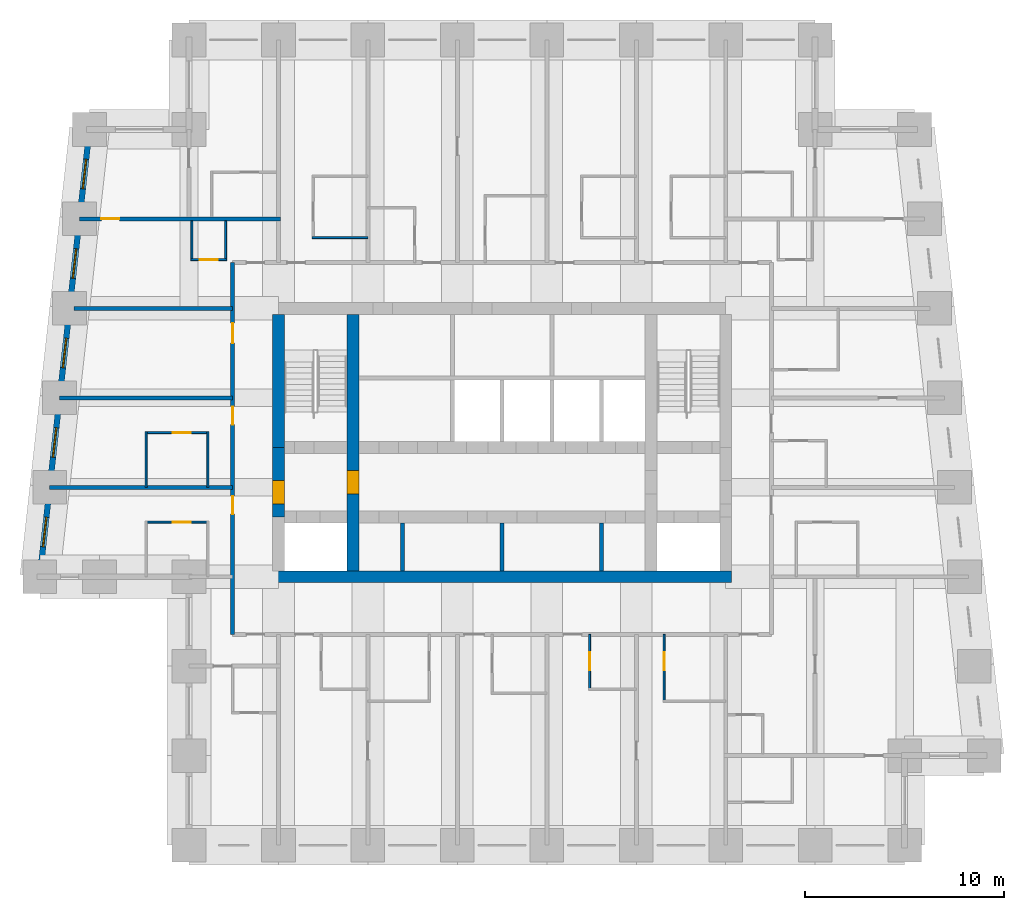
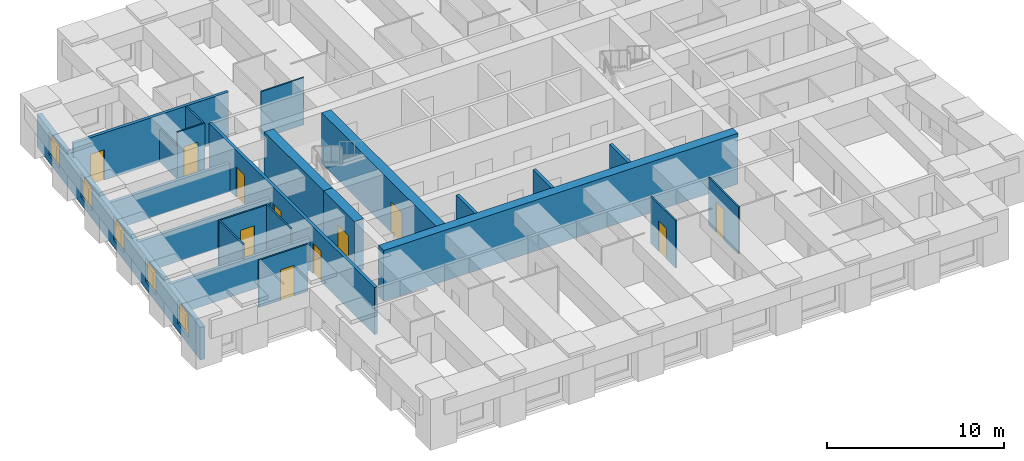
# One storey, part 3 of 8: 23 walls, 11 doors, 5 windows, 16 openings.
"""IFC4 building model written with IfcOpenShell, lengths in metres."""

from ifc_helpers import new_model, si_unit, direction, frame, frame_2d, origin, place, context, subcontext, project, spatial, rectangle, extrude, material, layer, layer_set, type_object, element, fill, save


model = new_model("IFC4")

# Units and contexts
model_context = context("Model", 3, precision=1e-05, world=origin(), true_north=direction((0.0, 1.0)))
body_context = subcontext(model_context, "Body", "Model", "MODEL_VIEW")
ifc_project = project(units=[si_unit("LENGTHUNIT", "METRE"), si_unit("AREAUNIT", "SQUARE_METRE"), si_unit("VOLUMEUNIT", "CUBIC_METRE"), si_unit("PLANEANGLEUNIT", "RADIAN"), si_unit("MASSUNIT", "GRAM", prefix="KILO")], contexts=[model_context])

# Site, building, storey
site_placement = place(None, origin())
site = spatial("IfcSite", under=ifc_project, at=site_placement, CompositionType="ELEMENT")
building_placement = place(site_placement, origin())
building = spatial("IfcBuilding", under=site, at=building_placement, Name="Kilele Tower Hotel", CompositionType="ELEMENT")
storey_placement = place(building_placement, frame((0.0, 0.0, 162.39990234375)))
storey = spatial("IfcBuildingStorey", under=building, at=storey_placement, Name="L41", CompositionType="ELEMENT", Elevation=162.39990234375)

# Wall, opening, door
ifc_material_1 = material(Name="Moisture-resistant board")
ifc_layer_1 = layer(ifc_material_1, 0.10009765625)
ifc_layer_set_1 = layer_set([ifc_layer_1], Name="Moisture-resistant board")
wall_type_1 = type_object("IfcWallType", Name="Bathroom partition 100", PredefinedType="PLUMBINGWALL", material=ifc_layer_set_1)
wall_1_placement = place(storey_placement, frame((29.14990234375, 10.60009765625, 0.0), z_axis=(0.0, 0.0, 1.0), x_axis=(0.0, -1.0, 0.0)))
wall_1 = element("IfcWall", 1, at=wall_1_placement, inside=storey, type_object=wall_type_1, Name="Bathroom partition 100 L41", PredefinedType="PLUMBINGWALL", context=body_context, shape_type="SweptSolid", body=[
    extrude(rectangle(XDim=2.800048828125, YDim=0.10009765625, at=frame_2d((1.39990234375, 0.0))), origin(), (0.0, 0.0, 1.0), 3.25),
])
opening_1_placement = place(wall_1_placement, frame((1.7998046875, 0.0, 0.0), z_axis=(0.0, 0.0, 1.0), x_axis=(-1.0, 0.0, 0.0)))
opening_1 = element("IfcOpeningElement", 2, at=opening_1_placement, cuts=wall_1, Name="Opening D2A", PredefinedType="OPENING", context=body_context, shape_type="SweptSolid", body=[
    extrude(rectangle(XDim=0.89990234375, YDim=2.10009765625, at=frame_2d((0.449951171875, 1.050048828125))), frame((0.0, 0.06005859375, 0.0), z_axis=(0.0, -1.0, 0.0), x_axis=(1.0, 0.0, 0.0)), (0.0, 0.0, 1.0), 0.1201171875),
])
ifc_material_2 = material(Name="Timber door leaf in hardwood frame", Category="wood")
door_type_1 = type_object("IfcDoorType", Name="Bathroom door 900", OperationType="SINGLE_SWING_LEFT", PredefinedType="DOOR", material=ifc_material_2)
door_1_placement = place(opening_1_placement, origin())
door_1 = element("IfcDoor", 3, at=door_1_placement, inside=storey, type_object=door_type_1, Name="Bathroom door 4104B", OperationType="SINGLE_SWING_RIGHT", OverallHeight=2.10009765625, OverallWidth=0.89990234375, PredefinedType="DOOR", context=body_context, shape_type="SweptSolid", body=[
    extrude(rectangle(XDim=0.89990234375, YDim=2.10009765625, at=frame_2d((0.449951171875, 1.050048828125))), frame((0.0, 0.02490234375, 0.0), z_axis=(0.0, -1.0, 0.0), x_axis=(1.0, 0.0, 0.0)), (0.0, 0.0, 1.0), 0.050048828125),
])
fill(opening_1, door_1)

wall_2_placement = place(storey_placement, frame((32.89990234375, 10.60009765625, 0.0), z_axis=(0.0, 0.0, 1.0), x_axis=(0.0, -1.0, 0.0)))
wall_2 = element("IfcWall", 4, at=wall_2_placement, inside=storey, type_object=wall_type_1, Name="Bathroom partition 100 L41", PredefinedType="PLUMBINGWALL", context=body_context, shape_type="SweptSolid", body=[
    extrude(rectangle(XDim=3.400146484375, YDim=0.10009765625, at=frame_2d((1.7001953125, 0.0))), origin(), (0.0, 0.0, 1.0), 3.25),
])
opening_2_placement = place(wall_2_placement, frame((1.7998046875, 0.0, 0.0), z_axis=(0.0, 0.0, 1.0), x_axis=(-1.0, 0.0, 0.0)))
opening_2 = element("IfcOpeningElement", 5, at=opening_2_placement, cuts=wall_2, Name="Opening D2A", PredefinedType="OPENING", context=body_context, shape_type="SweptSolid", body=[
    extrude(rectangle(XDim=0.89990234375, YDim=2.10009765625, at=frame_2d((0.449951171875, 1.050048828125))), frame((0.0, 0.06005859375, 0.0), z_axis=(0.0, -1.0, 0.0), x_axis=(1.0, 0.0, 0.0)), (0.0, 0.0, 1.0), 0.1201171875),
])
door_2_placement = place(opening_2_placement, origin())
door_2 = element("IfcDoor", 6, at=door_2_placement, inside=storey, type_object=door_type_1, Name="Bathroom door 4105B", OperationType="SINGLE_SWING_RIGHT", OverallHeight=2.10009765625, OverallWidth=0.89990234375, PredefinedType="DOOR", context=body_context, shape_type="SweptSolid", body=[
    extrude(rectangle(XDim=0.89990234375, YDim=2.10009765625, at=frame_2d((0.449951171875, 1.050048828125))), frame((0.0, 0.02490234375, 0.0), z_axis=(0.0, -1.0, 0.0), x_axis=(1.0, 0.0, 0.0)), (0.0, 0.0, 1.0), 0.050048828125),
])
fill(opening_2, door_2)

# Wall
wall_3_placement = place(storey_placement, frame((15.199951171875, 30.550048828125, 0.0), z_axis=(0.0, 0.0, 1.0), x_axis=(1.0, 0.0, 0.0)))
element("IfcWall", 7, at=wall_3_placement, inside=storey, type_object=wall_type_1, Name="Bathroom partition 100 L41", PredefinedType="PLUMBINGWALL", context=body_context, shape_type="SweptSolid", body=[
    extrude(rectangle(XDim=2.800048828125, YDim=0.10009765625, at=frame_2d((1.39990234375, 0.0))), origin(), (0.0, 0.0, 1.0), 3.25),
])

# Wall, opening, door
wall_4_placement = place(storey_placement, frame((10.0, 16.25, 0.0), z_axis=(0.0, 0.0, 1.0), x_axis=(-1.0, 0.0, 0.0)))
wall_4 = element("IfcWall", 8, at=wall_4_placement, inside=storey, type_object=wall_type_1, Name="Bathroom partition 100 L41", PredefinedType="PLUMBINGWALL", context=body_context, shape_type="SweptSolid", body=[
    extrude(rectangle(XDim=3.199951171875, YDim=0.10009765625, at=frame_2d((1.60009765625, 0.0))), origin(), (0.0, 0.0, 1.0), 3.25),
])
opening_3_placement = place(wall_4_placement, frame((1.7998046875, 0.0, 0.0), z_axis=(0.0, 0.0, 1.0), x_axis=(-1.0, 0.0, 0.0)))
opening_3 = element("IfcOpeningElement", 9, at=opening_3_placement, cuts=wall_4, Name="Opening D2A", PredefinedType="OPENING", context=body_context, shape_type="SweptSolid", body=[
    extrude(rectangle(XDim=0.89990234375, YDim=2.10009765625, at=frame_2d((0.449951171875, 1.050048828125))), frame((0.0, 0.06005859375, 0.0), z_axis=(0.0, -1.0, 0.0), x_axis=(1.0, 0.0, 0.0)), (0.0, 0.0, 1.0), 0.1201171875),
])
door_3_placement = place(opening_3_placement, origin())
door_3 = element("IfcDoor", 10, at=door_3_placement, inside=storey, type_object=door_type_1, Name="Bathroom door 4114B", OperationType="SINGLE_SWING_RIGHT", OverallHeight=2.10009765625, OverallWidth=0.89990234375, PredefinedType="DOOR", context=body_context, shape_type="SweptSolid", body=[
    extrude(rectangle(XDim=0.89990234375, YDim=2.10009765625, at=frame_2d((0.449951171875, 1.050048828125))), frame((0.0, 0.02490234375, 0.0), z_axis=(0.0, -1.0, 0.0), x_axis=(1.0, 0.0, 0.0)), (0.0, 0.0, 1.0), 0.050048828125),
])
fill(opening_3, door_3)

# Walls
for number, where, z_axis, x_axis, name in (
    (11, (9.949951171875, 18.0, 0.0), (0.0, 0.0, 1.0), (0.0, 1.0, 0.0), "Bathroom partition 100 L41"),
    (12, (6.85009765625, 18.0, 0.0), (0.0, 0.0, 1.0), (0.0, 1.0, 0.0), "Bathroom partition 100 L41"),
):
    element("IfcWall", number, at=place(storey_placement, frame(where, z_axis=z_axis, x_axis=x_axis)), inside=storey, type_object=wall_type_1, Name=name, PredefinedType="PLUMBINGWALL", context=body_context, shape_type="SweptSolid", body=[
        extrude(rectangle(XDim=2.800048828125, YDim=0.10009765625, at=frame_2d((1.39990234375, 0.0))), origin(), (0.0, 0.0, 1.0), 3.25),
    ])

# Wall, opening, door
wall_5_placement = place(storey_placement, frame((10.0, 20.75, 0.0), z_axis=(0.0, 0.0, 1.0), x_axis=(-1.0, 0.0, 0.0)))
wall_5 = element("IfcWall", 13, at=wall_5_placement, inside=storey, type_object=wall_type_1, Name="Bathroom partition 100 L41", PredefinedType="PLUMBINGWALL", context=body_context, shape_type="SweptSolid", body=[
    extrude(rectangle(XDim=3.199951171875, YDim=0.10009765625, at=frame_2d((1.60009765625, 0.0))), origin(), (0.0, 0.0, 1.0), 3.25),
])
opening_4_placement = place(wall_5_placement, frame((1.7998046875, 0.0, 0.0), z_axis=(0.0, 0.0, 1.0), x_axis=(-1.0, 0.0, 0.0)))
opening_4 = element("IfcOpeningElement", 14, at=opening_4_placement, cuts=wall_5, Name="Opening D2A", PredefinedType="OPENING", context=body_context, shape_type="SweptSolid", body=[
    extrude(rectangle(XDim=0.89990234375, YDim=2.10009765625, at=frame_2d((0.449951171875, 1.050048828125))), frame((0.0, 0.06005859375, 0.0), z_axis=(0.0, -1.0, 0.0), x_axis=(1.0, 0.0, 0.0)), (0.0, 0.0, 1.0), 0.1201171875),
])
door_4_placement = place(opening_4_placement, origin())
door_4 = element("IfcDoor", 15, at=door_4_placement, inside=storey, type_object=door_type_1, Name="Bathroom door 4115B", OperationType="SINGLE_SWING_RIGHT", OverallHeight=2.10009765625, OverallWidth=0.89990234375, PredefinedType="DOOR", context=body_context, shape_type="SweptSolid", body=[
    extrude(rectangle(XDim=0.89990234375, YDim=2.10009765625, at=frame_2d((0.449951171875, 1.050048828125))), frame((0.0, 0.02490234375, 0.0), z_axis=(0.0, -1.0, 0.0), x_axis=(1.0, 0.0, 0.0)), (0.0, 0.0, 1.0), 0.050048828125),
])
fill(opening_4, door_4)

# Walls
wall_6_placement = place(storey_placement, frame((9.14990234375, 31.39990234375, 0.0), z_axis=(0.0, 0.0, 1.0), x_axis=(0.0, -1.0, 0.0)))
element("IfcWall", 16, at=wall_6_placement, inside=storey, type_object=wall_type_1, Name="Bathroom partition 100 L41", PredefinedType="PLUMBINGWALL", context=body_context, shape_type="SweptSolid", body=[
    extrude(rectangle(XDim=2.0, YDim=0.10009765625, at=frame_2d((1.0, 0.0))), origin(), (0.0, 0.0, 1.0), 2.25),
])
wall_7_placement = place(storey_placement, frame((10.85009765625, 31.39990234375, 0.0), z_axis=(0.0, 0.0, 1.0), x_axis=(0.0, -1.0, 0.0)))
element("IfcWall", 17, at=wall_7_placement, inside=storey, type_object=wall_type_1, Name="Bathroom partition 100 L41", PredefinedType="PLUMBINGWALL", context=body_context, shape_type="SweptSolid", body=[
    extrude(rectangle(XDim=2.0, YDim=0.10009765625, at=frame_2d((1.0, 0.0))), origin(), (0.0, 0.0, 1.0), 3.25),
])

# Wall, opening, door
wall_8_placement = place(storey_placement, frame((10.89990234375, 29.449951171875, 0.0), z_axis=(0.0, 0.0, 1.0), x_axis=(-1.0, 0.0, 0.0)))
wall_8 = element("IfcWall", 18, at=wall_8_placement, inside=storey, type_object=wall_type_1, Name="Bathroom partition 100 L41", PredefinedType="PLUMBINGWALL", context=body_context, shape_type="SweptSolid", body=[
    extrude(rectangle(XDim=1.7998046875, YDim=0.10009765625, at=frame_2d((0.89990234375, 0.0))), origin(), (0.0, 0.0, 1.0), 3.25),
])
opening_5_placement = place(wall_8_placement, frame((0.449951171875, 0.0, 0.0)))
opening_5 = element("IfcOpeningElement", 19, at=opening_5_placement, cuts=wall_8, Name="Opening D2A", PredefinedType="OPENING", context=body_context, shape_type="SweptSolid", body=[
    extrude(rectangle(XDim=0.89990234375, YDim=2.10009765625, at=frame_2d((0.449951171875, 1.050048828125))), frame((0.0, 0.06005859375, 0.0), z_axis=(0.0, -1.0, 0.0), x_axis=(1.0, 0.0, 0.0)), (0.0, 0.0, 1.0), 0.1201171875),
])
door_5_placement = place(opening_5_placement, origin())
door_5 = element("IfcDoor", 20, at=door_5_placement, inside=storey, type_object=door_type_1, Name="Bathroom door 4125P", OperationType="SINGLE_SWING_LEFT", OverallHeight=2.10009765625, OverallWidth=0.89990234375, PredefinedType="DOOR", context=body_context, shape_type="SweptSolid", body=[
    extrude(rectangle(XDim=0.89990234375, YDim=2.10009765625, at=frame_2d((0.449951171875, 1.050048828125))), frame((0.0, 0.02490234375, 0.0), z_axis=(0.0, -1.0, 0.0), x_axis=(1.0, 0.0, 0.0)), (0.0, 0.0, 1.0), 0.050048828125),
])
fill(opening_5, door_5)

# Wall
ifc_material_3 = material(Name="Concrete C70/85", Category="concrete")
ifc_layer_2 = layer(ifc_material_3, 0.60009765625)
ifc_layer_set_2 = layer_set([ifc_layer_2], Name="Concrete C70/85")
wall_type_2 = type_object("IfcWallType", Name="Core wall 600 C70/85", PredefinedType="SHEAR", material=ifc_layer_set_2)
wall_9_placement = place(storey_placement, frame((13.199951171875, 13.5, 0.0), z_axis=(0.0, 0.0, 1.0), x_axis=(1.0, 0.0, 0.0)))
element("IfcWall", 21, at=wall_9_placement, inside=storey, type_object=wall_type_2, Name="Core wall S L41", PredefinedType="SHEAR", context=body_context, shape_type="SweptSolid", body=[
    extrude(rectangle(XDim=23.10009765625, YDim=0.60009765625, at=frame_2d((11.550048828125, 0.0))), origin(), (0.0, 0.0, 1.0), 3.5),
])

# Wall, opening, door
wall_10_placement = place(storey_placement, frame((17.25, 13.800048828125, 0.0), z_axis=(0.0, 0.0, 1.0), x_axis=(0.0, 1.0, 0.0)))
wall_10 = element("IfcWall", 22, at=wall_10_placement, inside=storey, type_object=wall_type_2, Name="Core wall IW L41", PredefinedType="SHEAR", context=body_context, shape_type="SweptSolid", body=[
    extrude(rectangle(XDim=12.89990234375, YDim=0.60009765625, at=frame_2d((6.449951171875, 0.0))), origin(), (0.0, 0.0, 1.0), 3.5),
])
opening_6_placement = place(wall_10_placement, frame((3.85009765625, 0.0, 0.0)))
opening_6 = element("IfcOpeningElement", 23, at=opening_6_placement, cuts=wall_10, Name="Opening D4", PredefinedType="OPENING", context=body_context, shape_type="SweptSolid", body=[
    extrude(rectangle(XDim=1.199951171875, YDim=2.10009765625, at=frame_2d((0.60009765625, 1.050048828125))), frame((0.0, 0.31005859375, 0.0), z_axis=(0.0, -1.0, 0.0), x_axis=(1.0, 0.0, 0.0)), (0.0, 0.0, 1.0), 0.6201171875),
])
ifc_material_4 = material(Name="Timber door leaf in hardwood frame", Category="wood")
door_type_2 = type_object("IfcDoorType", Name="Firefighting lobby door 1200", OperationType="SINGLE_SWING_LEFT", PredefinedType="DOOR", material=ifc_material_4)
door_6_placement = place(opening_6_placement, origin())
door_6 = element("IfcDoor", 24, at=door_6_placement, inside=storey, type_object=door_type_2, Name="Lobby door L41", OperationType="SINGLE_SWING_LEFT", OverallHeight=2.10009765625, OverallWidth=1.199951171875, PredefinedType="DOOR", context=body_context, shape_type="SweptSolid", body=[
    extrude(rectangle(XDim=1.199951171875, YDim=2.10009765625, at=frame_2d((0.60009765625, 1.050048828125))), frame((0.0, 0.2998046875, 0.0), z_axis=(0.0, -1.0, 0.0), x_axis=(1.0, 0.0, 0.0)), (0.0, 0.0, 1.0), 0.599609375),
])
fill(opening_6, door_6)

# Wall
wall_11_placement = place(storey_placement, frame((13.5, 26.699951171875, 0.0), z_axis=(0.0, 0.0, 1.0), x_axis=(0.0, -1.0, 0.0)))
element("IfcWall", 25, at=wall_11_placement, inside=storey, type_object=wall_type_2, Name="Core wall W1 L41", PredefinedType="SHEAR", context=body_context, shape_type="SweptSolid", body=[
    extrude(rectangle(XDim=6.699951171875, YDim=0.60009765625, at=frame_2d((3.35009765625, 0.0))), origin(), (0.0, 0.0, 1.0), 3.5),
])

# Wall, opening, door
wall_12_placement = place(storey_placement, frame((13.5, 20.0, 0.0), z_axis=(0.0, 0.0, 1.0), x_axis=(0.0, -1.0, 0.0)))
wall_12 = element("IfcWall", 26, at=wall_12_placement, inside=storey, type_object=wall_type_2, Name="Core wall W2 L41", PredefinedType="SHEAR", context=body_context, shape_type="SweptSolid", body=[
    extrude(rectangle(XDim=3.5, YDim=0.60009765625, at=frame_2d((1.75, 0.0))), origin(), (0.0, 0.0, 1.0), 3.5),
])
opening_7_placement = place(wall_12_placement, frame((1.64990234375, 0.0, 0.0)))
opening_7 = element("IfcOpeningElement", 27, at=opening_7_placement, cuts=wall_12, Name="Opening D4", PredefinedType="OPENING", context=body_context, shape_type="SweptSolid", body=[
    extrude(rectangle(XDim=1.199951171875, YDim=2.10009765625, at=frame_2d((0.60009765625, 1.050048828125))), frame((0.0, 0.31005859375, 0.0), z_axis=(0.0, -1.0, 0.0), x_axis=(1.0, 0.0, 0.0)), (0.0, 0.0, 1.0), 0.6201171875),
])
door_7_placement = place(opening_7_placement, origin())
door_7 = element("IfcDoor", 28, at=door_7_placement, inside=storey, type_object=door_type_2, Name="Lobby door L41", OperationType="SINGLE_SWING_RIGHT", OverallHeight=2.10009765625, OverallWidth=1.199951171875, PredefinedType="DOOR", context=body_context, shape_type="SweptSolid", body=[
    extrude(rectangle(XDim=1.199951171875, YDim=2.10009765625, at=frame_2d((0.60009765625, 1.050048828125))), frame((0.0, 0.2998046875, 0.0), z_axis=(0.0, -1.0, 0.0), x_axis=(1.0, 0.0, 0.0)), (0.0, 0.0, 1.0), 0.599609375),
])
fill(opening_7, door_7)

# Wall, openings, doors
ifc_material_5 = material(Name="Blockwork, plastered both sides", Category="masonry")
ifc_layer_3 = layer(ifc_material_5, 0.199951171875)
ifc_layer_set_3 = layer_set([ifc_layer_3], Name="Blockwork, plastered both sides")
wall_type_3 = type_object("IfcWallType", Name="Corridor wall 200", PredefinedType="PARTITIONING", material=ifc_layer_set_3)
wall_13_placement = place(storey_placement, frame((11.199951171875, 10.60009765625, 0.0), z_axis=(0.0, 0.0, 1.0), x_axis=(0.0, 1.0, 0.0)))
wall_13 = element("IfcWall", 29, at=wall_13_placement, inside=storey, type_object=wall_type_3, Name="Corridor wall 200 L41", PredefinedType="PARTITIONING", context=body_context, shape_type="SweptSolid", body=[
    extrude(rectangle(XDim=18.699951171875, YDim=0.199951171875, at=frame_2d((9.35009765625, 0.0))), origin(), (0.0, 0.0, 1.0), 3.25),
])
opening_8_placement = place(wall_13_placement, frame((6.050048828125, 0.0, 0.0)))
opening_8 = element("IfcOpeningElement", 30, at=opening_8_placement, cuts=wall_13, Name="Opening D1", PredefinedType="OPENING", context=body_context, shape_type="SweptSolid", body=[
    extrude(rectangle(XDim=0.89990234375, YDim=2.10009765625, at=frame_2d((0.449951171875, 1.050048828125))), frame((0.0, 0.10986328125, 0.0), z_axis=(0.0, -1.0, 0.0), x_axis=(1.0, 0.0, 0.0)), (0.0, 0.0, 1.0), 0.219970703125),
])
opening_9_placement = place(wall_13_placement, frame((10.550048828125, 0.0, 0.0)))
opening_9 = element("IfcOpeningElement", 31, at=opening_9_placement, cuts=wall_13, Name="Opening D1", PredefinedType="OPENING", context=body_context, shape_type="SweptSolid", body=[
    extrude(rectangle(XDim=0.89990234375, YDim=2.10009765625, at=frame_2d((0.449951171875, 1.050048828125))), frame((0.0, 0.10986328125, 0.0), z_axis=(0.0, -1.0, 0.0), x_axis=(1.0, 0.0, 0.0)), (0.0, 0.0, 1.0), 0.219970703125),
])
opening_10_placement = place(wall_13_placement, frame((14.64990234375, 0.0, 0.0)))
opening_10 = element("IfcOpeningElement", 32, at=opening_10_placement, cuts=wall_13, Name="Opening D8", PredefinedType="OPENING", context=body_context, shape_type="SweptSolid", body=[
    extrude(rectangle(XDim=1.0, YDim=2.10009765625, at=frame_2d((0.5, 1.050048828125))), frame((0.0, 0.10986328125, 0.0), z_axis=(0.0, -1.0, 0.0), x_axis=(1.0, 0.0, 0.0)), (0.0, 0.0, 1.0), 0.219970703125),
])
ifc_material_6 = material(Name="Timber door leaf in hardwood frame", Category="wood")
door_type_3 = type_object("IfcDoorType", Name="Door 1000", OperationType="SINGLE_SWING_LEFT", PredefinedType="DOOR", material=ifc_material_6)
door_8_placement = place(opening_10_placement, origin())
door_8 = element("IfcDoor", 33, at=door_8_placement, inside=storey, type_object=door_type_3, Name="Room entrance 4116", OperationType="SINGLE_SWING_RIGHT", OverallHeight=2.10009765625, OverallWidth=1.0, PredefinedType="DOOR", context=body_context, shape_type="SweptSolid", body=[
    extrude(rectangle(XDim=1.0, YDim=2.10009765625, at=frame_2d((0.5, 1.050048828125))), frame((0.0, 0.02490234375, 0.0), z_axis=(0.0, -1.0, 0.0), x_axis=(1.0, 0.0, 0.0)), (0.0, 0.0, 1.0), 0.050048828125),
])
fill(opening_10, door_8)
ifc_material_7 = material(Name="Timber door leaf in hardwood frame", Category="wood")
door_type_4 = type_object("IfcDoorType", Name="Guest room entrance door 900", OperationType="SINGLE_SWING_LEFT", PredefinedType="DOOR", material=ifc_material_7)
door_9_placement = place(opening_8_placement, origin())
door_9 = element("IfcDoor", 34, at=door_9_placement, inside=storey, type_object=door_type_4, Name="Room entrance 4114", OperationType="SINGLE_SWING_RIGHT", OverallHeight=2.10009765625, OverallWidth=0.89990234375, PredefinedType="DOOR", context=body_context, shape_type="SweptSolid", body=[
    extrude(rectangle(XDim=0.89990234375, YDim=2.10009765625, at=frame_2d((0.449951171875, 1.050048828125))), frame((0.0, 0.02490234375, 0.0), z_axis=(0.0, -1.0, 0.0), x_axis=(1.0, 0.0, 0.0)), (0.0, 0.0, 1.0), 0.050048828125),
])
fill(opening_8, door_9)
door_10_placement = place(opening_9_placement, origin())
door_10 = element("IfcDoor", 35, at=door_10_placement, inside=storey, type_object=door_type_4, Name="Room entrance 4115", OperationType="SINGLE_SWING_RIGHT", OverallHeight=2.10009765625, OverallWidth=0.89990234375, PredefinedType="DOOR", context=body_context, shape_type="SweptSolid", body=[
    extrude(rectangle(XDim=0.89990234375, YDim=2.10009765625, at=frame_2d((0.449951171875, 1.050048828125))), frame((0.0, 0.02490234375, 0.0), z_axis=(0.0, -1.0, 0.0), x_axis=(1.0, 0.0, 0.0)), (0.0, 0.0, 1.0), 0.050048828125),
])
fill(opening_9, door_10)

# Walls
ifc_material_8 = material(Name="Blockwork, plastered both sides", Category="masonry")
ifc_layer_4 = layer(ifc_material_8, 0.199951171875)
ifc_layer_set_4 = layer_set([ifc_layer_4], Name="Blockwork, plastered both sides")
wall_type_4 = type_object("IfcWallType", Name="Party wall 200", PredefinedType="PARTITIONING", material=ifc_layer_set_4)
wall_14_placement = place(storey_placement, frame((11.199951171875, 18.0, 0.0), z_axis=(0.0, 0.0, 1.0), x_axis=(-1.0, 0.0, 0.0)))
element("IfcWall", 36, at=wall_14_placement, inside=storey, type_object=wall_type_4, Name="Party wall 200 L41", PredefinedType="PARTITIONING", context=body_context, shape_type="SweptSolid", body=[
    extrude(rectangle(XDim=9.198974609375, YDim=0.199951171875, at=frame_2d((4.599609375, 0.0))), origin(), (0.0, 0.0, 1.0), 2.25),
])
wall_15_placement = place(storey_placement, frame((11.199951171875, 22.5, 0.0), z_axis=(0.0, 0.0, 1.0), x_axis=(-1.0, 0.0, 0.0)))
element("IfcWall", 37, at=wall_15_placement, inside=storey, type_object=wall_type_4, Name="Party wall 200 L41", PredefinedType="PARTITIONING", context=body_context, shape_type="SweptSolid", body=[
    extrude(rectangle(XDim=8.698974609375, YDim=0.199951171875, at=frame_2d((4.349609375, 0.0))), origin(), (0.0, 0.0, 1.0), 2.25),
])
wall_16_placement = place(storey_placement, frame((11.199951171875, 27.0, 0.0), z_axis=(0.0, 0.0, 1.0), x_axis=(-1.0, 0.0, 0.0)))
element("IfcWall", 38, at=wall_16_placement, inside=storey, type_object=wall_type_4, Name="Party wall 200 L41", PredefinedType="PARTITIONING", context=body_context, shape_type="SweptSolid", body=[
    extrude(rectangle(XDim=7.976806640625, YDim=0.199951171875, at=frame_2d((3.98828125, 0.0))), origin(), (0.0, 0.0, 1.0), 1.9501953125),
])

# Wall, opening, door
wall_17_placement = place(storey_placement, frame((13.60009765625, 31.5, 0.0), z_axis=(0.0, 0.0, 1.0), x_axis=(-1.0, 0.0, 0.0)))
wall_17 = element("IfcWall", 39, at=wall_17_placement, inside=storey, type_object=wall_type_4, Name="Party wall 200 L41", PredefinedType="PARTITIONING", context=body_context, shape_type="SweptSolid", body=[
    extrude(rectangle(XDim=10.09912109375, YDim=0.199951171875, at=frame_2d((5.049560546875, 0.0))), origin(), (0.0, 0.0, 1.0), 3.25),
])
opening_11_placement = place(wall_17_placement, frame((8.9990234375, 0.0, 0.0), z_axis=(0.0, 0.0, 1.0), x_axis=(-1.0, 0.0, 0.0)))
opening_11 = element("IfcOpeningElement", 40, at=opening_11_placement, cuts=wall_17, Name="Opening D3", PredefinedType="OPENING", context=body_context, shape_type="SweptSolid", body=[
    extrude(rectangle(XDim=0.89990234375, YDim=2.10009765625, at=frame_2d((0.449951171875, 1.050048828125))), frame((0.0, 0.10986328125, 0.0), z_axis=(0.0, -1.0, 0.0), x_axis=(1.0, 0.0, 0.0)), (0.0, 0.0, 1.0), 0.219970703125),
])
ifc_material_9 = material(Name="Timber door leaf in hardwood frame", Category="wood")
door_type_5 = type_object("IfcDoorType", Name="Suite internal door 900", OperationType="SINGLE_SWING_LEFT", PredefinedType="DOOR", material=ifc_material_9)
door_11_placement = place(opening_11_placement, origin())
door_11 = element("IfcDoor", 41, at=door_11_placement, inside=storey, type_object=door_type_5, Name="Suite door 4126", OperationType="SINGLE_SWING_LEFT", OverallHeight=2.10009765625, OverallWidth=0.89990234375, PredefinedType="DOOR", context=body_context, shape_type="SweptSolid", body=[
    extrude(rectangle(XDim=0.89990234375, YDim=2.10009765625, at=frame_2d((0.449951171875, 1.050048828125))), frame((0.0, 0.02490234375, 0.0), z_axis=(0.0, -1.0, 0.0), x_axis=(1.0, 0.0, 0.0)), (0.0, 0.0, 1.0), 0.050048828125),
])
fill(opening_11, door_11)

# Wall, openings, windows
ifc_material_10 = material(Name="Concrete C40/50 precast", Category="concrete")
ifc_layer_5 = layer(ifc_material_10, 0.260009765625, Name="Precast backing", Category="LoadBearing")
ifc_material_11 = material(Name="Reconstituted stone finish", Category="masonry")
ifc_layer_6 = layer(ifc_material_11, 0.0400390625, Name="Face mix", Category="Finish")
ifc_layer_set_5 = layer_set([ifc_layer_5, ifc_layer_6], Name="Precast concrete C40/50, reconstituted stone finish")
wall_type_5 = type_object("IfcWallType", Name="Precast stone facade wall 300", PredefinedType="STANDARD", material=ifc_layer_set_5)
wall_18_placement = place(storey_placement, frame((4.0166015625, 36.149169921875, 0.0), z_axis=(0.0, 0.0, 1.0), x_axis=(-0.110433862387, -0.993883475081, 0.0)))
wall_18 = element("IfcWall", 42, at=wall_18_placement, inside=storey, type_object=wall_type_5, Name="Facade wall L41 edge 12", PredefinedType="STANDARD", context=body_context, shape_type="SweptSolid", body=[
    extrude(rectangle(XDim=22.938720703125, YDim=0.300048828125, at=frame_2d((11.46923828125, 0.0))), origin(), (0.0, 0.0, 1.0), 2.25),
])
opening_12_placement = place(wall_18_placement, frame((1.6640625, 0.0, 0.5)))
opening_12 = element("IfcOpeningElement", 43, at=opening_12_placement, cuts=wall_18, Name="Opening W3", PredefinedType="OPENING", context=body_context, shape_type="SweptSolid", body=[
    extrude(rectangle(XDim=1.5, YDim=1.60009765625, at=frame_2d((0.75, 0.800048828125))), frame((0.0, 0.159912109375, 0.0), z_axis=(0.0, -1.0, 0.0), x_axis=(1.0, 0.0, 0.0)), (0.0, 0.0, 1.0), 0.320068359375),
])
opening_13_placement = place(wall_18_placement, frame((6.19189453125, 0.0, 0.5)))
opening_13 = element("IfcOpeningElement", 44, at=opening_13_placement, cuts=wall_18, Name="Opening W3", PredefinedType="OPENING", context=body_context, shape_type="SweptSolid", body=[
    extrude(rectangle(XDim=1.5, YDim=1.60009765625, at=frame_2d((0.75, 0.800048828125))), frame((0.0, 0.159912109375, 0.0), z_axis=(0.0, -1.0, 0.0), x_axis=(1.0, 0.0, 0.0)), (0.0, 0.0, 1.0), 0.320068359375),
])
opening_14_placement = place(wall_18_placement, frame((10.718994140625, 0.0, 0.5)))
opening_14 = element("IfcOpeningElement", 45, at=opening_14_placement, cuts=wall_18, Name="Opening W3", PredefinedType="OPENING", context=body_context, shape_type="SweptSolid", body=[
    extrude(rectangle(XDim=1.5, YDim=1.60009765625, at=frame_2d((0.75, 0.800048828125))), frame((0.0, 0.159912109375, 0.0), z_axis=(0.0, -1.0, 0.0), x_axis=(1.0, 0.0, 0.0)), (0.0, 0.0, 1.0), 0.320068359375),
])
opening_15_placement = place(wall_18_placement, frame((15.2470703125, 0.0, 0.5)))
opening_15 = element("IfcOpeningElement", 46, at=opening_15_placement, cuts=wall_18, Name="Opening W3", PredefinedType="OPENING", context=body_context, shape_type="SweptSolid", body=[
    extrude(rectangle(XDim=1.5, YDim=1.60009765625, at=frame_2d((0.75, 0.800048828125))), frame((0.0, 0.159912109375, 0.0), z_axis=(0.0, -1.0, 0.0), x_axis=(1.0, 0.0, 0.0)), (0.0, 0.0, 1.0), 0.320068359375),
])
opening_16_placement = place(wall_18_placement, frame((19.77490234375, 0.0, 0.5)))
opening_16 = element("IfcOpeningElement", 47, at=opening_16_placement, cuts=wall_18, Name="Opening W3", PredefinedType="OPENING", context=body_context, shape_type="SweptSolid", body=[
    extrude(rectangle(XDim=1.5, YDim=1.60009765625, at=frame_2d((0.75, 0.800048828125))), frame((0.0, 0.159912109375, 0.0), z_axis=(0.0, -1.0, 0.0), x_axis=(1.0, 0.0, 0.0)), (0.0, 0.0, 1.0), 0.320068359375),
])
ifc_material_12 = material(Name="Aluminium frame, clear double glazing", Category="aluminium")
window_type = type_object("IfcWindowType", Name="Window W3 1500 x 1600", PartitioningType="SINGLE_PANEL", PredefinedType="WINDOW", material=ifc_material_12)
window_1_placement = place(opening_12_placement, origin())
window_1 = element("IfcWindow", 48, at=window_1_placement, inside=storey, type_object=window_type, Name="Window L41", OverallHeight=1.60009765625, OverallWidth=1.5, PartitioningType="SINGLE_PANEL", PredefinedType="WINDOW", context=body_context, shape_type="SweptSolid", body=[
    extrude(rectangle(XDim=1.5, YDim=1.60009765625, at=frame_2d((0.75, 0.800048828125))), frame((0.0, 0.030029296875, 0.0), z_axis=(0.0, -1.0, 0.0), x_axis=(1.0, 0.0, 0.0)), (0.0, 0.0, 1.0), 0.06005859375),
])
fill(opening_12, window_1)
window_2_placement = place(opening_13_placement, origin())
window_2 = element("IfcWindow", 49, at=window_2_placement, inside=storey, type_object=window_type, Name="Window L41", OverallHeight=1.60009765625, OverallWidth=1.5, PartitioningType="SINGLE_PANEL", PredefinedType="WINDOW", context=body_context, shape_type="SweptSolid", body=[
    extrude(rectangle(XDim=1.5, YDim=1.60009765625, at=frame_2d((0.75, 0.800048828125))), frame((0.0, 0.030029296875, 0.0), z_axis=(0.0, -1.0, 0.0), x_axis=(1.0, 0.0, 0.0)), (0.0, 0.0, 1.0), 0.06005859375),
])
fill(opening_13, window_2)
window_3_placement = place(opening_14_placement, origin())
window_3 = element("IfcWindow", 50, at=window_3_placement, inside=storey, type_object=window_type, Name="Window L41", OverallHeight=1.60009765625, OverallWidth=1.5, PartitioningType="SINGLE_PANEL", PredefinedType="WINDOW", context=body_context, shape_type="SweptSolid", body=[
    extrude(rectangle(XDim=1.5, YDim=1.60009765625, at=frame_2d((0.75, 0.800048828125))), frame((0.0, 0.030029296875, 0.0), z_axis=(0.0, -1.0, 0.0), x_axis=(1.0, 0.0, 0.0)), (0.0, 0.0, 1.0), 0.06005859375),
])
fill(opening_14, window_3)
window_4_placement = place(opening_15_placement, origin())
window_4 = element("IfcWindow", 51, at=window_4_placement, inside=storey, type_object=window_type, Name="Window L41", OverallHeight=1.60009765625, OverallWidth=1.5, PartitioningType="SINGLE_PANEL", PredefinedType="WINDOW", context=body_context, shape_type="SweptSolid", body=[
    extrude(rectangle(XDim=1.5, YDim=1.60009765625, at=frame_2d((0.75, 0.800048828125))), frame((0.0, 0.030029296875, 0.0), z_axis=(0.0, -1.0, 0.0), x_axis=(1.0, 0.0, 0.0)), (0.0, 0.0, 1.0), 0.06005859375),
])
fill(opening_15, window_4)
window_5_placement = place(opening_16_placement, origin())
window_5 = element("IfcWindow", 52, at=window_5_placement, inside=storey, type_object=window_type, Name="Window L41", OverallHeight=1.60009765625, OverallWidth=1.5, PartitioningType="SINGLE_PANEL", PredefinedType="WINDOW", context=body_context, shape_type="SweptSolid", body=[
    extrude(rectangle(XDim=1.5, YDim=1.60009765625, at=frame_2d((0.75, 0.800048828125))), frame((0.0, 0.030029296875, 0.0), z_axis=(0.0, -1.0, 0.0), x_axis=(1.0, 0.0, 0.0)), (0.0, 0.0, 1.0), 0.06005859375),
])
fill(opening_16, window_5)

# Walls
ifc_material_13 = material(Name="Blockwork, fire-rated", Category="masonry")
ifc_layer_7 = layer(ifc_material_13, 0.199951171875)
ifc_layer_set_6 = layer_set([ifc_layer_7], Name="Blockwork, fire-rated")
wall_type_6 = type_object("IfcWallType", Name="Shaft wall 200", PredefinedType="PARTITIONING", material=ifc_layer_set_6)
for number, where, z_axis, x_axis, name in (
    (53, (19.75, 13.800048828125, 0.0), (0.0, 0.0, 1.0), (0.0, 1.0, 0.0), "Shaft wall 200 L41"),
    (54, (24.75, 13.800048828125, 0.0), (0.0, 0.0, 1.0), (0.0, 1.0, 0.0), "Shaft wall 200 L41"),
    (55, (29.75, 13.800048828125, 0.0), (0.0, 0.0, 1.0), (0.0, 1.0, 0.0), "Shaft wall 200 L41"),
):
    element("IfcWall", number, at=place(storey_placement, frame(where, z_axis=z_axis, x_axis=x_axis)), inside=storey, type_object=wall_type_6, Name=name, PredefinedType="PARTITIONING", context=body_context, shape_type="SweptSolid", body=[
        extrude(rectangle(XDim=2.39990234375, YDim=0.199951171875, at=frame_2d((1.199951171875, 0.0))), origin(), (0.0, 0.0, 1.0), 3.25),
    ])

save(model, "model.ifc")
